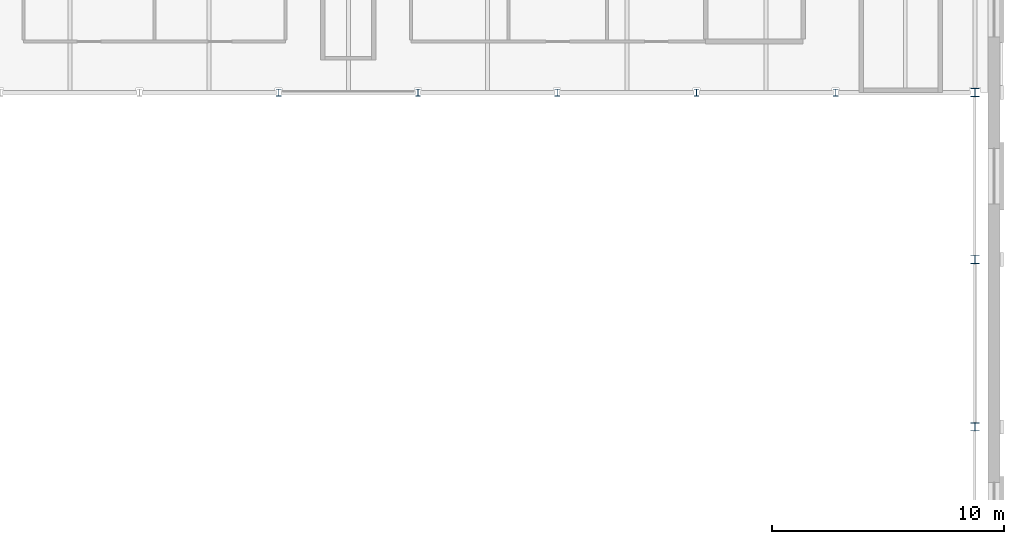
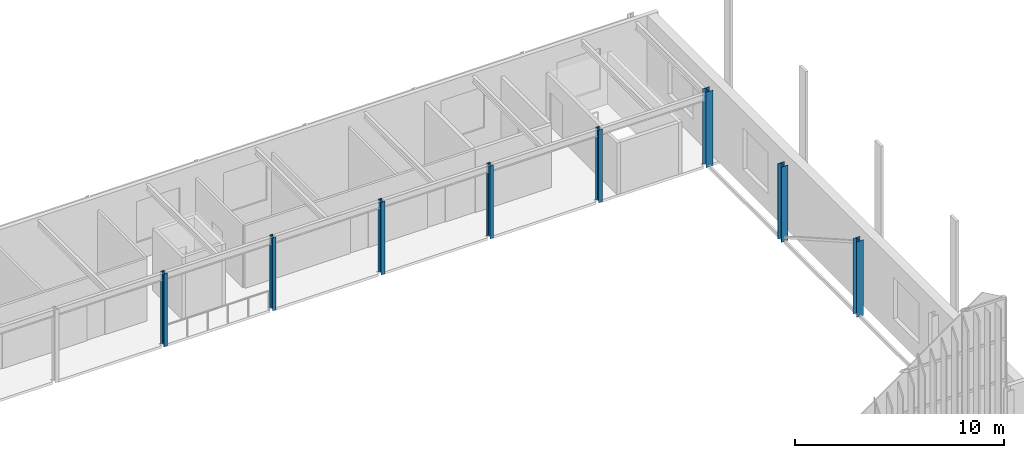
# One storey, part 18 of 169: 8 columns.
"""IFC4 building model written with IfcOpenShell, lengths in metres."""

from ifc_helpers import new_model, si_unit, direction, frame, origin, origin_2d, place, context, subcontext, project, spatial, i_section, extrude, material, material_profile, profile_set, type_object, element, save


model = new_model("IFC4")

# Units and contexts
model_context = context("Model", 3, precision=1e-05, world=origin(), true_north=direction((0.0, 1.0)))
body_context = subcontext(model_context, "Body", "Model", "MODEL_VIEW")
ifc_project = project(units=[si_unit("LENGTHUNIT", "METRE"), si_unit("AREAUNIT", "SQUARE_METRE"), si_unit("VOLUMEUNIT", "CUBIC_METRE"), si_unit("PLANEANGLEUNIT", "RADIAN"), si_unit("MASSUNIT", "GRAM", prefix="KILO")], contexts=[model_context])

# Site, building, storey
site_placement = place(None, origin())
site = spatial("IfcSite", under=ifc_project, at=site_placement, CompositionType="ELEMENT")
building_placement = place(site_placement, origin())
building = spatial("IfcBuilding", under=site, at=building_placement, Name="Verrick Yard Athletic Hall", CompositionType="ELEMENT")
storey_placement = place(building_placement, frame((0.0, 0.0, 4.39990234375)))
storey = spatial("IfcBuildingStorey", under=building, at=storey_placement, Name="L01", CompositionType="ELEMENT", Elevation=4.39990234375)

# Columns
ifc_material = material(Name="Structural steel 350W (CSA G40.21)", Category="steel")
ifc_material_profile_1 = material_profile(ifc_material, i_section(OverallWidth=0.205078125, OverallDepth=0.31005859375, WebThickness=0.009521484375, FlangeThickness=0.016357421875, at=origin_2d()), Name="W310x74")
ifc_profile_set_1 = profile_set([ifc_material_profile_1], Name="Structural steel 350W (CSA G40.21)")
column_type_1 = type_object("IfcColumnType", Name="HB column W310x74", PredefinedType="COLUMN", material=ifc_profile_set_1)
for number, where, z_axis, x_axis, name in (
    (1, (139.60009765625, 100.800048828125, 0.0), (0.0, 0.0, 1.0), (1.0, 0.0, 0.0), "HB-C-A-B3S-L01"),
    (2, (145.60009765625, 100.800048828125, 0.0), (0.0, 0.0, 1.0), (1.0, 0.0, 0.0), "HB-C-A-B4S-L01"),
    (3, (151.60009765625, 100.800048828125, 0.0), (0.0, 0.0, 1.0), (1.0, 0.0, 0.0), "HB-C-A-B5S-L01"),
    (4, (157.60009765625, 100.800048828125, 0.0), (0.0, 0.0, 1.0), (1.0, 0.0, 0.0), "HB-C-A-B6S-L01"),
    (5, (163.60009765625, 100.800048828125, 0.0), (0.0, 0.0, 1.0), (1.0, 0.0, 0.0), "HB-C-A-B7S-L01"),
):
    element("IfcColumn", number, at=place(storey_placement, frame(where, z_axis=z_axis, x_axis=x_axis)), inside=storey, type_object=column_type_1, Name=name, PredefinedType="COLUMN", context=body_context, shape_type="SweptSolid", body=[
        extrude(i_section(OverallWidth=0.205078125, OverallDepth=0.31005859375, WebThickness=0.009521484375, FlangeThickness=0.016357421875, at=origin_2d()), origin(), (0.0, 0.0, 1.0), 4.25),
    ])
ifc_material_profile_2 = material_profile(ifc_material, i_section(OverallWidth=0.368896484375, OverallDepth=0.35595703125, WebThickness=0.01123046875, FlangeThickness=0.01806640625, at=origin_2d()), Name="W360x134")
ifc_profile_set_2 = profile_set([ifc_material_profile_2], Name="Structural steel 350W (CSA G40.21)")
column_type_2 = type_object("IfcColumnType", Name="HB column W360x134", PredefinedType="COLUMN", material=ifc_profile_set_2)
for number, where, z_axis, x_axis, name in (
    (6, (169.60009765625, 86.39990234375, 0.0), (0.0, 0.0, 1.0), (1.0, 0.0, 0.0), "HB-C-HAE3-L01"),
    (7, (169.60009765625, 93.60009765625, 0.0), (0.0, 0.0, 1.0), (1.0, 0.0, 0.0), "HB-C-HAE4-L01"),
    (8, (169.60009765625, 100.800048828125, 0.0), (0.0, 0.0, 1.0), (1.0, 0.0, 0.0), "HB-C-HAE5-L01"),
):
    element("IfcColumn", number, at=place(storey_placement, frame(where, z_axis=z_axis, x_axis=x_axis)), inside=storey, type_object=column_type_2, Name=name, PredefinedType="COLUMN", context=body_context, shape_type="SweptSolid", body=[
        extrude(i_section(OverallWidth=0.368896484375, OverallDepth=0.35595703125, WebThickness=0.01123046875, FlangeThickness=0.01806640625, at=origin_2d()), origin(), (0.0, 0.0, 1.0), 4.400146484375),
    ])

save(model, "model.ifc")
